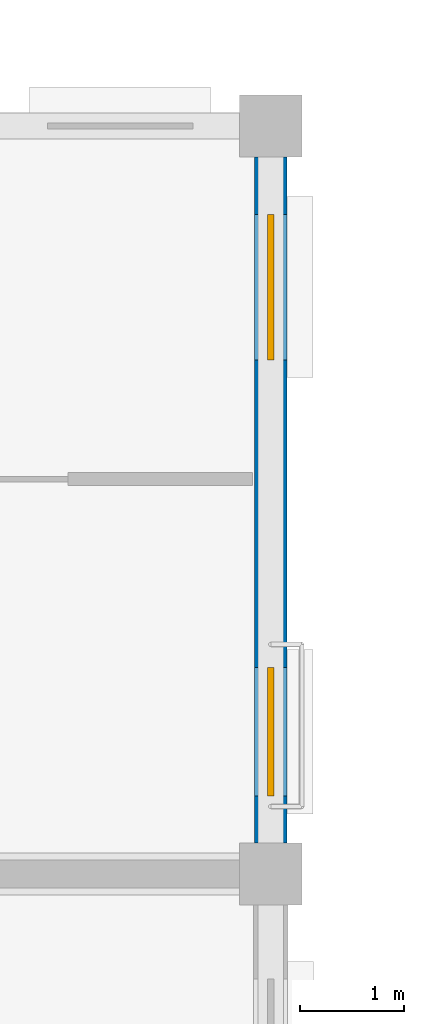
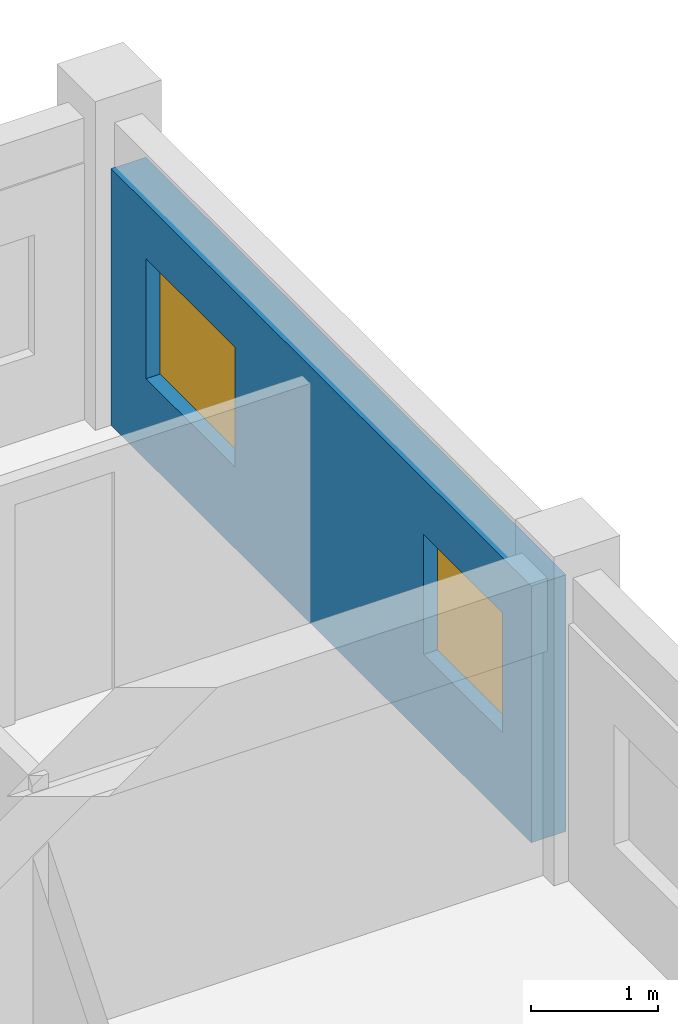
# One storey, part 105 of 124: 2 windows, 1 wall, 2 openings.
"""IFC4 building model written with IfcOpenShell, lengths in metres."""

from ifc_helpers import new_model, si_unit, direction, frame, frame_2d, origin, place, context, subcontext, project, spatial, rectangle, extrude, material, layer, layer_set, type_object, element, fill, save


model = new_model("IFC4")

# Units and contexts
model_context = context("Model", 3, precision=1e-05, world=origin(), true_north=direction((0.0, 1.0)))
body_context = subcontext(model_context, "Body", "Model", "MODEL_VIEW")
ifc_project = project(units=[si_unit("LENGTHUNIT", "METRE"), si_unit("AREAUNIT", "SQUARE_METRE"), si_unit("VOLUMEUNIT", "CUBIC_METRE"), si_unit("PLANEANGLEUNIT", "RADIAN"), si_unit("MASSUNIT", "GRAM", prefix="KILO"), si_unit("THERMODYNAMICTEMPERATUREUNIT", "KELVIN"), si_unit("POWERUNIT", "WATT")], contexts=[model_context])

# Site, building, storey
site_placement = place(None, origin())
site = spatial("IfcSite", under=ifc_project, at=site_placement, CompositionType="ELEMENT")
building_placement = place(site_placement, origin())
building = spatial("IfcBuilding", under=site, at=building_placement, Name="Tavuni Mirador Residences", CompositionType="ELEMENT")
storey_placement = place(building_placement, frame((0.0, 0.0, 7.64990234375)))
storey = spatial("IfcBuildingStorey", under=building, at=storey_placement, Name="L02", CompositionType="ELEMENT", Elevation=7.64990234375)

# Wall, openings, windows
ifc_material_1 = material(Name="Sgraffito lime-rendered precast concrete C40/50", Category="concrete")
ifc_layer = layer(ifc_material_1, 0.31494140625, Name="Sgraffito lime-rendered precast concrete C40/50", Category="concrete")
ifc_layer_set = layer_set([ifc_layer], Name="Sgraffito lime-rendered precast concrete C40/50")
wall_type = type_object("IfcWallType", Name="WT-EXT-PC315", PredefinedType="SOLIDWALL", material=ifc_layer_set)
wall_placement = place(storey_placement, frame((118.800048828125, 129.89990234375, 0.0), z_axis=(0.0, 0.0, 1.0), x_axis=(0.0, 1.0, 0.0)))
wall = element("IfcWall", 1, at=wall_placement, inside=storey, type_object=wall_type, Name="EW-BLK-D-L02-E06", PredefinedType="SOLIDWALL", context=body_context, shape_type="SweptSolid", body=[
    extrude(rectangle(XDim=6.60009765625, YDim=0.31494140625, at=frame_2d((3.300048828125, 0.0))), origin(), (0.0, 0.0, 1.0), 2.460205078125),
])
opening_1_placement = place(wall_placement, frame((0.449951171875, 0.0, 0.780029296875)))
opening_1 = element("IfcOpeningElement", 2, at=opening_1_placement, cuts=wall, Name="Opening WN-06", PredefinedType="OPENING", context=body_context, shape_type="SweptSolid", body=[
    extrude(rectangle(XDim=1.239990234375, YDim=1.14990234375, at=frame_2d((0.6201171875, 0.574951171875))), frame((0.0, 0.16748046875, 0.0), z_axis=(0.0, -1.0, 0.0), x_axis=(1.0, 0.0, 0.0)), (0.0, 0.0, 1.0), 0.3349609375),
])
opening_2_placement = place(wall_placement, frame((4.64990234375, 0.0, 0.780029296875)))
opening_2 = element("IfcOpeningElement", 3, at=opening_2_placement, cuts=wall, Name="Opening WN-08", PredefinedType="OPENING", context=body_context, shape_type="SweptSolid", body=[
    extrude(rectangle(XDim=1.39990234375, YDim=1.14990234375, at=frame_2d((0.699951171875, 0.574951171875))), frame((0.0, 0.16748046875, 0.0), z_axis=(0.0, -1.0, 0.0), x_axis=(1.0, 0.0, 0.0)), (0.0, 0.0, 1.0), 0.3349609375),
])
ifc_material_2 = material(Name="Laminated solar-control glass", Category="glass")
window_type_1 = type_object("IfcWindowType", Name="WNT-06", PartitioningType="SINGLE_PANEL", PredefinedType="WINDOW", material=ifc_material_2)
window_1_placement = place(opening_1_placement, origin())
window_1 = element("IfcWindow", 4, at=window_1_placement, inside=storey, type_object=window_type_1, Name="WIN-1503", OverallHeight=1.14990234375, OverallWidth=1.239990234375, PartitioningType="SINGLE_PANEL", PredefinedType="WINDOW", context=body_context, shape_type="SweptSolid", body=[
    extrude(rectangle(XDim=1.239990234375, YDim=1.14990234375, at=frame_2d((0.6201171875, 0.574951171875))), frame((0.0, 0.030029296875, 0.0), z_axis=(0.0, -1.0, 0.0), x_axis=(1.0, 0.0, 0.0)), (0.0, 0.0, 1.0), 0.06005859375),
])
fill(opening_1, window_1)
window_type_2 = type_object("IfcWindowType", Name="WNT-08", PartitioningType="SINGLE_PANEL", PredefinedType="WINDOW", material=ifc_material_2)
window_2_placement = place(opening_2_placement, origin())
window_2 = element("IfcWindow", 5, at=window_2_placement, inside=storey, type_object=window_type_2, Name="WIN-1504", OverallHeight=1.14990234375, OverallWidth=1.39990234375, PartitioningType="SINGLE_PANEL", PredefinedType="WINDOW", context=body_context, shape_type="SweptSolid", body=[
    extrude(rectangle(XDim=1.39990234375, YDim=1.14990234375, at=frame_2d((0.699951171875, 0.574951171875))), frame((0.0, 0.030029296875, 0.0), z_axis=(0.0, -1.0, 0.0), x_axis=(1.0, 0.0, 0.0)), (0.0, 0.0, 1.0), 0.06005859375),
])
fill(opening_2, window_2)

save(model, "model.ifc")
